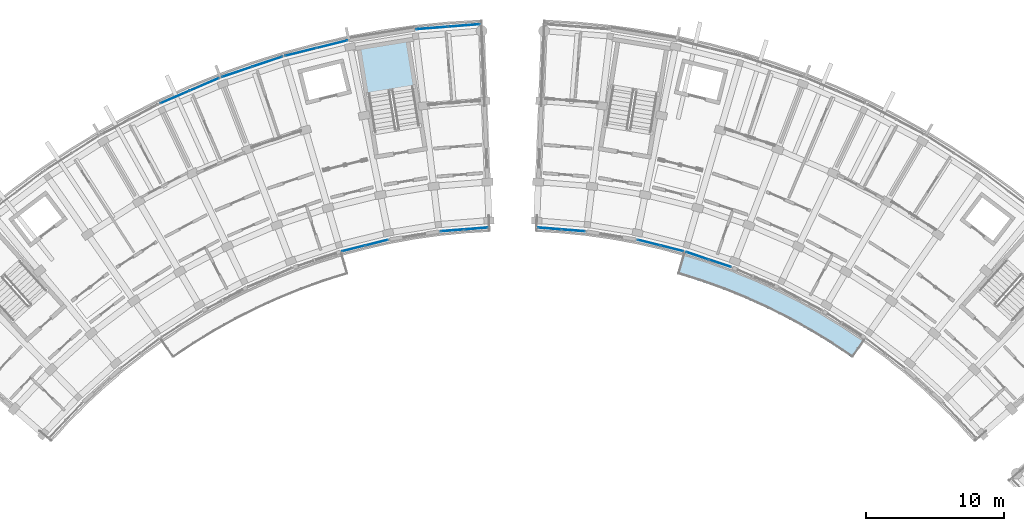
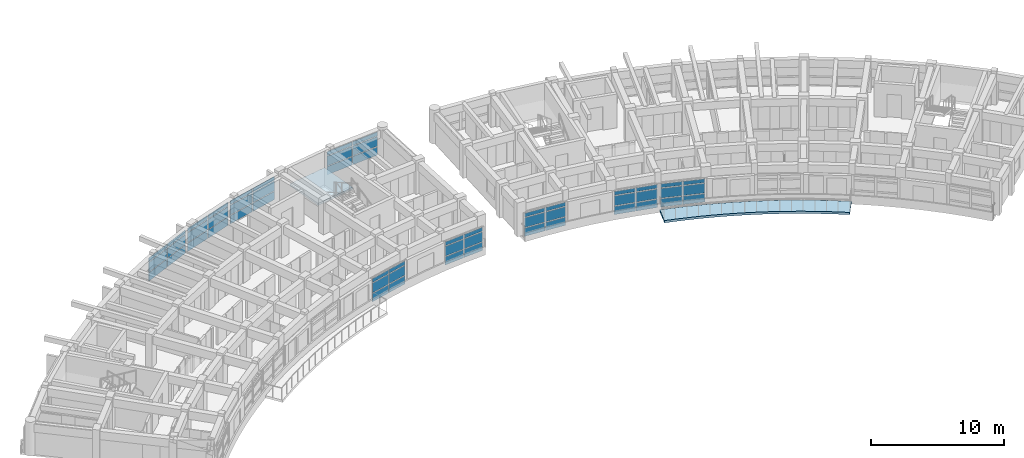
# One storey, part 21 of 56: 54 plates, 2 slabs, 10 elements without a shape of their own.
"""IFC4 building model written with IfcOpenShell, lengths in metres."""

from ifc_helpers import new_model, si_unit, direction, frame, origin, origin_2d, place, context, subcontext, project, spatial, polyline, rectangle, outline, extrude, material, layer, layer_set, type_object, element, aggregate, save


model = new_model("IFC4")

# Units and contexts
model_context = context("Model", 3, precision=1e-05, world=origin(), true_north=direction((0.0, 1.0)))
body_context = subcontext(model_context, "Body", "Model", "MODEL_VIEW")
ifc_project = project(units=[si_unit("LENGTHUNIT", "METRE"), si_unit("AREAUNIT", "SQUARE_METRE"), si_unit("VOLUMEUNIT", "CUBIC_METRE"), si_unit("PLANEANGLEUNIT", "RADIAN"), si_unit("MASSUNIT", "GRAM", prefix="KILO")], contexts=[model_context])

# Site, building, storey
site_placement = place(None, origin())
site = spatial("IfcSite", under=ifc_project, at=site_placement, CompositionType="ELEMENT")
building_placement = place(site_placement, origin())
building = spatial("IfcBuilding", under=site, at=building_placement, Name="Zimvara Arc Housing Community", CompositionType="ELEMENT")
storey_placement = place(building_placement, frame((0.0, 0.0, 11.199951171875)))
storey = spatial("IfcBuildingStorey", under=building, at=storey_placement, Name="L03", CompositionType="ELEMENT", Elevation=11.199951171875)

# Curtain wall, plates
ifc_material_1 = material(Name="Anodised Aluminium AW-6063", Category="aluminium")
curtain_wall_type_1 = type_object("IfcCurtainWallType", Name="CW-SYS-08", PredefinedType="USERDEFINED", material=ifc_material_1)
curtain_wall_1_placement = place(storey_placement, origin())
curtain_wall_1 = element("IfcCurtainWall", 1, at=curtain_wall_1_placement, inside=storey, type_object=curtain_wall_type_1, Name="cw:blkA:L03:out:b6", ObjectType="CURTAIN WALL", PredefinedType="USERDEFINED")
ifc_material_2 = material(Name="Pale-Gold Anodised Aluminium Spandrel Panel", Category="aluminium")
ifc_layer_1 = layer(ifc_material_2, 0.035888671875)
ifc_layer_set_1 = layer_set([ifc_layer_1], Name="Pale-Gold Anodised Aluminium Spandrel Panel")
plate_type_1 = type_object("IfcPlateType", Name="CWP-GLD-36", PredefinedType="CURTAIN_PANEL", material=ifc_layer_set_1)
plate_1_placement = place(storey_placement, frame((24.990478515625, 100.36669921875, 0.065185546875), z_axis=(0.0, 0.0, 1.0), x_axis=(0.947879647164, 0.318628583921, 0.0)))
plate_1 = element("IfcPlate", 2, at=plate_1_placement, type_object=plate_type_1, Name="CW08 panel 1.1", PredefinedType="CURTAIN_PANEL", context=body_context, shape_type="SweptSolid", body=[
    extrude(rectangle(XDim=2.266845703125, YDim=0.035888671875, at=origin_2d()), origin(), (0.0, 0.0, 1.0), 0.75244140625),
])
plate_2_placement = place(storey_placement, frame((24.990478515625, 100.36669921875, 0.88232421875), z_axis=(0.0, 0.0, 1.0), x_axis=(0.947879647164, 0.318628583921, 0.0)))
plate_2 = element("IfcPlate", 3, at=plate_2_placement, type_object=plate_type_1, Name="CW08 panel 1.2", PredefinedType="CURTAIN_PANEL", context=body_context, shape_type="SweptSolid", body=[
    extrude(rectangle(XDim=2.266845703125, YDim=0.035888671875, at=origin_2d()), origin(), (0.0, 0.0, 1.0), 0.885009765625),
])
plate_3_placement = place(storey_placement, frame((24.990478515625, 100.36669921875, 1.83251953125), z_axis=(0.0, 0.0, 1.0), x_axis=(0.947879647164, 0.318628583921, 0.0)))
plate_3 = element("IfcPlate", 4, at=plate_3_placement, type_object=plate_type_1, Name="CW08 panel 1.3", PredefinedType="CURTAIN_PANEL", context=body_context, shape_type="SweptSolid", body=[
    extrude(rectangle(XDim=2.266845703125, YDim=0.035888671875, at=origin_2d()), origin(), (0.0, 0.0, 1.0), 0.3525390625),
])
plate_4_placement = place(storey_placement, frame((27.200927734375, 101.109619140625, 0.065185546875), z_axis=(0.0, 0.0, 1.0), x_axis=(0.947879647164, 0.318628583921, 0.0)))
plate_4 = element("IfcPlate", 5, at=plate_4_placement, type_object=plate_type_1, Name="CW08 panel 2.1", PredefinedType="CURTAIN_PANEL", context=body_context, shape_type="SweptSolid", body=[
    extrude(rectangle(XDim=2.266845703125, YDim=0.035888671875, at=origin_2d()), origin(), (0.0, 0.0, 1.0), 0.75244140625),
])
plate_5_placement = place(storey_placement, frame((27.200927734375, 101.109619140625, 0.88232421875), z_axis=(0.0, 0.0, 1.0), x_axis=(0.947879647164, 0.318628583921, 0.0)))
plate_5 = element("IfcPlate", 6, at=plate_5_placement, type_object=plate_type_1, Name="CW08 panel 2.2", PredefinedType="CURTAIN_PANEL", context=body_context, shape_type="SweptSolid", body=[
    extrude(rectangle(XDim=2.266845703125, YDim=0.035888671875, at=origin_2d()), origin(), (0.0, 0.0, 1.0), 0.885009765625),
])
plate_6_placement = place(storey_placement, frame((27.200927734375, 101.109619140625, 1.83251953125), z_axis=(0.0, 0.0, 1.0), x_axis=(0.947879647164, 0.318628583921, 0.0)))
plate_6 = element("IfcPlate", 7, at=plate_6_placement, type_object=plate_type_1, Name="CW08 panel 2.3", PredefinedType="CURTAIN_PANEL", context=body_context, shape_type="SweptSolid", body=[
    extrude(rectangle(XDim=2.266845703125, YDim=0.035888671875, at=origin_2d()), origin(), (0.0, 0.0, 1.0), 0.3525390625),
])
aggregate(curtain_wall_1, [plate_1, plate_2, plate_3, plate_4, plate_5, plate_6])

ifc_material_3 = material(Name="Anodised Aluminium AW-6063", Category="aluminium")
curtain_wall_type_2 = type_object("IfcCurtainWallType", Name="CW-SYS-04", PredefinedType="USERDEFINED", material=ifc_material_3)
curtain_wall_2_placement = place(storey_placement, origin())
curtain_wall_2 = element("IfcCurtainWall", 8, at=curtain_wall_2_placement, inside=storey, type_object=curtain_wall_type_2, Name="cw:blkA:L03:in:b9", ObjectType="CURTAIN WALL", PredefinedType="USERDEFINED")
plate_7_placement = place(storey_placement, frame((40.609130859375, 88.87451171875, 0.065185546875), z_axis=(0.0, 0.0, 1.0), x_axis=(0.996862343506, 0.079154709897, 0.0)))
plate_7 = element("IfcPlate", 9, at=plate_7_placement, type_object=plate_type_1, Name="CW04 panel 1.1", PredefinedType="CURTAIN_PANEL", context=body_context, shape_type="SweptSolid", body=[
    extrude(rectangle(XDim=1.664306640625, YDim=0.035888671875, at=origin_2d()), origin(), (0.0, 0.0, 1.0), 0.75244140625),
])
plate_8_placement = place(storey_placement, frame((40.609130859375, 88.87451171875, 0.88232421875), z_axis=(0.0, 0.0, 1.0), x_axis=(0.996862343506, 0.079154709897, 0.0)))
plate_8 = element("IfcPlate", 10, at=plate_8_placement, type_object=plate_type_1, Name="CW04 panel 1.2", PredefinedType="CURTAIN_PANEL", context=body_context, shape_type="SweptSolid", body=[
    extrude(rectangle(XDim=1.664306640625, YDim=0.035888671875, at=origin_2d()), origin(), (0.0, 0.0, 1.0), 0.885009765625),
])
plate_9_placement = place(storey_placement, frame((40.609130859375, 88.87451171875, 1.83251953125), z_axis=(0.0, 0.0, 1.0), x_axis=(0.996862343506, 0.079154709897, 0.0)))
plate_9 = element("IfcPlate", 11, at=plate_9_placement, type_object=plate_type_1, Name="CW04 panel 1.3", PredefinedType="CURTAIN_PANEL", context=body_context, shape_type="SweptSolid", body=[
    extrude(rectangle(XDim=1.664306640625, YDim=0.035888671875, at=origin_2d()), origin(), (0.0, 0.0, 1.0), 0.3525390625),
])
plate_10_placement = place(storey_placement, frame((42.3330078125, 89.01123046875, 0.065185546875), z_axis=(0.0, 0.0, 1.0), x_axis=(0.996862343506, 0.079154709897, 0.0)))
plate_10 = element("IfcPlate", 12, at=plate_10_placement, type_object=plate_type_1, Name="CW04 panel 2.1", PredefinedType="CURTAIN_PANEL", context=body_context, shape_type="SweptSolid", body=[
    extrude(rectangle(XDim=1.664306640625, YDim=0.035888671875, at=origin_2d()), origin(), (0.0, 0.0, 1.0), 0.75244140625),
])
plate_11_placement = place(storey_placement, frame((42.3330078125, 89.01123046875, 0.88232421875), z_axis=(0.0, 0.0, 1.0), x_axis=(0.996862343506, 0.079154709897, 0.0)))
plate_11 = element("IfcPlate", 13, at=plate_11_placement, type_object=plate_type_1, Name="CW04 panel 2.2", PredefinedType="CURTAIN_PANEL", context=body_context, shape_type="SweptSolid", body=[
    extrude(rectangle(XDim=1.664306640625, YDim=0.035888671875, at=origin_2d()), origin(), (0.0, 0.0, 1.0), 0.885009765625),
])
plate_12_placement = place(storey_placement, frame((42.3330078125, 89.01123046875, 1.83251953125), z_axis=(0.0, 0.0, 1.0), x_axis=(0.996862343506, 0.079154709897, 0.0)))
plate_12 = element("IfcPlate", 14, at=plate_12_placement, type_object=plate_type_1, Name="CW04 panel 2.3", PredefinedType="CURTAIN_PANEL", context=body_context, shape_type="SweptSolid", body=[
    extrude(rectangle(XDim=1.664306640625, YDim=0.035888671875, at=origin_2d()), origin(), (0.0, 0.0, 1.0), 0.3525390625),
])
aggregate(curtain_wall_2, [plate_7, plate_8, plate_9, plate_10, plate_11, plate_12])

curtain_wall_3_placement = place(storey_placement, origin())
curtain_wall_3 = element("IfcCurtainWall", 15, at=curtain_wall_3_placement, inside=storey, type_object=curtain_wall_type_1, Name="cw:blkB:L03:in:b0", ObjectType="CURTAIN WALL", PredefinedType="USERDEFINED")
plate_13_placement = place(storey_placement, frame((47.6669921875, 89.01123046875, 0.065185546875), z_axis=(0.0, 0.0, 1.0), x_axis=(0.996862343506, -0.079154709897, 0.0)))
plate_13 = element("IfcPlate", 16, at=plate_13_placement, type_object=plate_type_1, Name="CW08 panel 1.1", PredefinedType="CURTAIN_PANEL", context=body_context, shape_type="SweptSolid", body=[
    extrude(rectangle(XDim=1.664306640625, YDim=0.035888671875, at=origin_2d()), origin(), (0.0, 0.0, 1.0), 0.75244140625),
])
plate_14_placement = place(storey_placement, frame((47.6669921875, 89.01123046875, 0.88232421875), z_axis=(0.0, 0.0, 1.0), x_axis=(0.996862343506, -0.079154709897, 0.0)))
plate_14 = element("IfcPlate", 17, at=plate_14_placement, type_object=plate_type_1, Name="CW08 panel 1.2", PredefinedType="CURTAIN_PANEL", context=body_context, shape_type="SweptSolid", body=[
    extrude(rectangle(XDim=1.664306640625, YDim=0.035888671875, at=origin_2d()), origin(), (0.0, 0.0, 1.0), 0.885009765625),
])
plate_15_placement = place(storey_placement, frame((47.6669921875, 89.01123046875, 1.83251953125), z_axis=(0.0, 0.0, 1.0), x_axis=(0.996862343506, -0.079154709897, 0.0)))
plate_15 = element("IfcPlate", 18, at=plate_15_placement, type_object=plate_type_1, Name="CW08 panel 1.3", PredefinedType="CURTAIN_PANEL", context=body_context, shape_type="SweptSolid", body=[
    extrude(rectangle(XDim=1.664306640625, YDim=0.035888671875, at=origin_2d()), origin(), (0.0, 0.0, 1.0), 0.3525390625),
])
plate_16_placement = place(storey_placement, frame((49.390869140625, 88.87451171875, 0.065185546875), z_axis=(0.0, 0.0, 1.0), x_axis=(0.996862343506, -0.079154709897, 0.0)))
plate_16 = element("IfcPlate", 19, at=plate_16_placement, type_object=plate_type_1, Name="CW08 panel 2.1", PredefinedType="CURTAIN_PANEL", context=body_context, shape_type="SweptSolid", body=[
    extrude(rectangle(XDim=1.664306640625, YDim=0.035888671875, at=origin_2d()), origin(), (0.0, 0.0, 1.0), 0.75244140625),
])
plate_17_placement = place(storey_placement, frame((49.390869140625, 88.87451171875, 0.88232421875), z_axis=(0.0, 0.0, 1.0), x_axis=(0.996862343506, -0.079154709897, 0.0)))
plate_17 = element("IfcPlate", 20, at=plate_17_placement, type_object=plate_type_1, Name="CW08 panel 2.2", PredefinedType="CURTAIN_PANEL", context=body_context, shape_type="SweptSolid", body=[
    extrude(rectangle(XDim=1.664306640625, YDim=0.035888671875, at=origin_2d()), origin(), (0.0, 0.0, 1.0), 0.885009765625),
])
plate_18_placement = place(storey_placement, frame((49.390869140625, 88.87451171875, 1.83251953125), z_axis=(0.0, 0.0, 1.0), x_axis=(0.996862343506, -0.079154709897, 0.0)))
plate_18 = element("IfcPlate", 21, at=plate_18_placement, type_object=plate_type_1, Name="CW08 panel 2.3", PredefinedType="CURTAIN_PANEL", context=body_context, shape_type="SweptSolid", body=[
    extrude(rectangle(XDim=1.664306640625, YDim=0.035888671875, at=origin_2d()), origin(), (0.0, 0.0, 1.0), 0.3525390625),
])
aggregate(curtain_wall_3, [plate_13, plate_14, plate_15, plate_16, plate_17, plate_18])

curtain_wall_4_placement = place(storey_placement, origin())
curtain_wall_4 = element("IfcCurtainWall", 22, at=curtain_wall_4_placement, inside=storey, type_object=curtain_wall_type_2, Name="cw:blkB:L03:in:b3", ObjectType="CURTAIN WALL", PredefinedType="USERDEFINED")
plate_19_placement = place(storey_placement, frame((58.3857421875, 87.03466796875, 0.065185546875), z_axis=(0.0, 0.0, 1.0), x_axis=(0.94787908732, -0.318630249383, 0.0)))
plate_19 = element("IfcPlate", 23, at=plate_19_placement, type_object=plate_type_1, Name="CW04 panel 1.1", PredefinedType="CURTAIN_PANEL", context=body_context, shape_type="SweptSolid", body=[
    extrude(rectangle(XDim=1.664306640625, YDim=0.035888671875, at=origin_2d()), origin(), (0.0, 0.0, 1.0), 0.75244140625),
])
plate_20_placement = place(storey_placement, frame((58.3857421875, 87.03466796875, 0.88232421875), z_axis=(0.0, 0.0, 1.0), x_axis=(0.94787908732, -0.318630249383, 0.0)))
plate_20 = element("IfcPlate", 24, at=plate_20_placement, type_object=plate_type_1, Name="CW04 panel 1.2", PredefinedType="CURTAIN_PANEL", context=body_context, shape_type="SweptSolid", body=[
    extrude(rectangle(XDim=1.664306640625, YDim=0.035888671875, at=origin_2d()), origin(), (0.0, 0.0, 1.0), 0.885009765625),
])
plate_21_placement = place(storey_placement, frame((58.3857421875, 87.03466796875, 1.83251953125), z_axis=(0.0, 0.0, 1.0), x_axis=(0.94787908732, -0.318630249383, 0.0)))
plate_21 = element("IfcPlate", 25, at=plate_21_placement, type_object=plate_type_1, Name="CW04 panel 1.3", PredefinedType="CURTAIN_PANEL", context=body_context, shape_type="SweptSolid", body=[
    extrude(rectangle(XDim=1.664306640625, YDim=0.035888671875, at=origin_2d()), origin(), (0.0, 0.0, 1.0), 0.3525390625),
])
plate_22_placement = place(storey_placement, frame((60.02490234375, 86.483642578125, 0.065185546875), z_axis=(0.0, 0.0, 1.0), x_axis=(0.94787908732, -0.318630249383, 0.0)))
plate_22 = element("IfcPlate", 26, at=plate_22_placement, type_object=plate_type_1, Name="CW04 panel 2.1", PredefinedType="CURTAIN_PANEL", context=body_context, shape_type="SweptSolid", body=[
    extrude(rectangle(XDim=1.664306640625, YDim=0.035888671875, at=origin_2d()), origin(), (0.0, 0.0, 1.0), 0.75244140625),
])
plate_23_placement = place(storey_placement, frame((60.02490234375, 86.483642578125, 0.88232421875), z_axis=(0.0, 0.0, 1.0), x_axis=(0.94787908732, -0.318630249383, 0.0)))
plate_23 = element("IfcPlate", 27, at=plate_23_placement, type_object=plate_type_1, Name="CW04 panel 2.2", PredefinedType="CURTAIN_PANEL", context=body_context, shape_type="SweptSolid", body=[
    extrude(rectangle(XDim=1.664306640625, YDim=0.035888671875, at=origin_2d()), origin(), (0.0, 0.0, 1.0), 0.885009765625),
])
plate_24_placement = place(storey_placement, frame((60.02490234375, 86.483642578125, 1.83251953125), z_axis=(0.0, 0.0, 1.0), x_axis=(0.94787908732, -0.318630249383, 0.0)))
plate_24 = element("IfcPlate", 28, at=plate_24_placement, type_object=plate_type_1, Name="CW04 panel 2.3", PredefinedType="CURTAIN_PANEL", context=body_context, shape_type="SweptSolid", body=[
    extrude(rectangle(XDim=1.664306640625, YDim=0.035888671875, at=origin_2d()), origin(), (0.0, 0.0, 1.0), 0.3525390625),
])
aggregate(curtain_wall_4, [plate_19, plate_20, plate_21, plate_22, plate_23, plate_24])

ifc_material_4 = material(Name="Anodised Aluminium AW-6063", Category="aluminium")
curtain_wall_type_3 = type_object("IfcCurtainWallType", Name="CW-SYS-01", PredefinedType="USERDEFINED", material=ifc_material_4)
curtain_wall_5_placement = place(storey_placement, origin())
curtain_wall_5 = element("IfcCurtainWall", 29, at=curtain_wall_5_placement, inside=storey, type_object=curtain_wall_type_3, Name="cw:blkA:L03:out:b7", ObjectType="CURTAIN WALL", PredefinedType="USERDEFINED")
ifc_material_5 = material(Name="Solar Control Low-E Double Glazing", Category="glass")
ifc_layer_2 = layer(ifc_material_5, 0.02392578125)
ifc_layer_set_2 = layer_set([ifc_layer_2], Name="Solar Control Low-E Double Glazing")
plate_type_2 = type_object("IfcPlateType", Name="CWP-GLZ-24", PredefinedType="CURTAIN_PANEL", material=ifc_layer_set_2)
plate_25_placement = place(storey_placement, frame((29.615234375, 101.81298828125, 0.065185546875), z_axis=(0.0, 0.0, 1.0), x_axis=(0.970716068627, 0.240229711131, 0.0)))
plate_25 = element("IfcPlate", 30, at=plate_25_placement, type_object=plate_type_2, Name="CW01 panel 1.1", PredefinedType="CURTAIN_PANEL", context=body_context, shape_type="SweptSolid", body=[
    extrude(rectangle(XDim=2.266845703125, YDim=0.02392578125, at=origin_2d()), origin(), (0.0, 0.0, 1.0), 0.75244140625),
])
plate_26_placement = place(storey_placement, frame((29.615234375, 101.81298828125, 0.88232421875), z_axis=(0.0, 0.0, 1.0), x_axis=(0.970716068627, 0.240229711131, 0.0)))
plate_26 = element("IfcPlate", 31, at=plate_26_placement, type_object=plate_type_2, Name="CW01 panel 1.2", PredefinedType="CURTAIN_PANEL", context=body_context, shape_type="SweptSolid", body=[
    extrude(rectangle(XDim=2.266845703125, YDim=0.02392578125, at=origin_2d()), origin(), (0.0, 0.0, 1.0), 0.885009765625),
])
plate_27_placement = place(storey_placement, frame((29.615234375, 101.81298828125, 1.83251953125), z_axis=(0.0, 0.0, 1.0), x_axis=(0.970716068627, 0.240229711131, 0.0)))
plate_27 = element("IfcPlate", 32, at=plate_27_placement, type_object=plate_type_2, Name="CW01 panel 1.3", PredefinedType="CURTAIN_PANEL", context=body_context, shape_type="SweptSolid", body=[
    extrude(rectangle(XDim=2.266845703125, YDim=0.02392578125, at=origin_2d()), origin(), (0.0, 0.0, 1.0), 0.3525390625),
])
plate_28_placement = place(storey_placement, frame((31.87890625, 102.373291015625, 0.065185546875), z_axis=(0.0, 0.0, 1.0), x_axis=(0.970716068627, 0.240229711131, 0.0)))
plate_28 = element("IfcPlate", 33, at=plate_28_placement, type_object=plate_type_2, Name="CW01 panel 2.1", PredefinedType="CURTAIN_PANEL", context=body_context, shape_type="SweptSolid", body=[
    extrude(rectangle(XDim=2.266845703125, YDim=0.02392578125, at=origin_2d()), origin(), (0.0, 0.0, 1.0), 0.75244140625),
])
plate_29_placement = place(storey_placement, frame((31.87890625, 102.373291015625, 0.88232421875), z_axis=(0.0, 0.0, 1.0), x_axis=(0.970716068627, 0.240229711131, 0.0)))
plate_29 = element("IfcPlate", 34, at=plate_29_placement, type_object=plate_type_2, Name="CW01 panel 2.2", PredefinedType="CURTAIN_PANEL", context=body_context, shape_type="SweptSolid", body=[
    extrude(rectangle(XDim=2.266845703125, YDim=0.02392578125, at=origin_2d()), origin(), (0.0, 0.0, 1.0), 0.885009765625),
])
plate_30_placement = place(storey_placement, frame((31.87890625, 102.373291015625, 1.83251953125), z_axis=(0.0, 0.0, 1.0), x_axis=(0.970716068627, 0.240229711131, 0.0)))
plate_30 = element("IfcPlate", 35, at=plate_30_placement, type_object=plate_type_2, Name="CW01 panel 2.3", PredefinedType="CURTAIN_PANEL", context=body_context, shape_type="SweptSolid", body=[
    extrude(rectangle(XDim=2.266845703125, YDim=0.02392578125, at=origin_2d()), origin(), (0.0, 0.0, 1.0), 0.3525390625),
])
aggregate(curtain_wall_5, [plate_25, plate_26, plate_27, plate_28, plate_29, plate_30])

ifc_material_6 = material(Name="Anodised Aluminium AW-6063", Category="aluminium")
curtain_wall_type_4 = type_object("IfcCurtainWallType", Name="CW-SYS-06", PredefinedType="USERDEFINED", material=ifc_material_6)
curtain_wall_6_placement = place(storey_placement, origin())
curtain_wall_6 = element("IfcCurtainWall", 36, at=curtain_wall_6_placement, inside=storey, type_object=curtain_wall_type_4, Name="cw:blkA:L03:out:b5", ObjectType="CURTAIN WALL", PredefinedType="USERDEFINED")
ifc_material_7 = material(Name="Solar Control Low-E Double Glazing", Category="glass")
ifc_layer_3 = layer(ifc_material_7, 0.028076171875)
ifc_layer_set_3 = layer_set([ifc_layer_3], Name="Solar Control Low-E Double Glazing")
plate_type_3 = type_object("IfcPlateType", Name="CWP-GLZ-28", PredefinedType="CURTAIN_PANEL", material=ifc_layer_set_3)
plate_31_placement = place(storey_placement, frame((20.4990234375, 98.5478515625, 0.065185546875), z_axis=(0.0, 0.0, 1.0), x_axis=(0.918722299363, 0.394904211998, 0.0)))
plate_31 = element("IfcPlate", 37, at=plate_31_placement, type_object=plate_type_3, Name="CW06 panel 1.1", PredefinedType="CURTAIN_PANEL", context=body_context, shape_type="SweptSolid", body=[
    extrude(rectangle(XDim=2.266845703125, YDim=0.028076171875, at=origin_2d()), origin(), (0.0, 0.0, 1.0), 0.75244140625),
])
plate_32_placement = place(storey_placement, frame((20.4990234375, 98.5478515625, 0.88232421875), z_axis=(0.0, 0.0, 1.0), x_axis=(0.918722299363, 0.394904211998, 0.0)))
plate_32 = element("IfcPlate", 38, at=plate_32_placement, type_object=plate_type_3, Name="CW06 panel 1.2", PredefinedType="CURTAIN_PANEL", context=body_context, shape_type="SweptSolid", body=[
    extrude(rectangle(XDim=2.266845703125, YDim=0.028076171875, at=origin_2d()), origin(), (0.0, 0.0, 1.0), 0.885009765625),
])
plate_33_placement = place(storey_placement, frame((20.4990234375, 98.5478515625, 1.83251953125), z_axis=(0.0, 0.0, 1.0), x_axis=(0.918722299363, 0.394904211998, 0.0)))
plate_33 = element("IfcPlate", 39, at=plate_33_placement, type_object=plate_type_3, Name="CW06 panel 1.3", PredefinedType="CURTAIN_PANEL", context=body_context, shape_type="SweptSolid", body=[
    extrude(rectangle(XDim=2.266845703125, YDim=0.028076171875, at=origin_2d()), origin(), (0.0, 0.0, 1.0), 0.3525390625),
])
plate_34_placement = place(storey_placement, frame((22.641357421875, 99.46875, 0.065185546875), z_axis=(0.0, 0.0, 1.0), x_axis=(0.918722299363, 0.394904211998, 0.0)))
plate_34 = element("IfcPlate", 40, at=plate_34_placement, type_object=plate_type_3, Name="CW06 panel 2.1", PredefinedType="CURTAIN_PANEL", context=body_context, shape_type="SweptSolid", body=[
    extrude(rectangle(XDim=2.266845703125, YDim=0.028076171875, at=origin_2d()), origin(), (0.0, 0.0, 1.0), 0.75244140625),
])
plate_35_placement = place(storey_placement, frame((22.641357421875, 99.46875, 0.88232421875), z_axis=(0.0, 0.0, 1.0), x_axis=(0.918722299363, 0.394904211998, 0.0)))
plate_35 = element("IfcPlate", 41, at=plate_35_placement, type_object=plate_type_3, Name="CW06 panel 2.2", PredefinedType="CURTAIN_PANEL", context=body_context, shape_type="SweptSolid", body=[
    extrude(rectangle(XDim=2.266845703125, YDim=0.028076171875, at=origin_2d()), origin(), (0.0, 0.0, 1.0), 0.885009765625),
])
plate_36_placement = place(storey_placement, frame((22.641357421875, 99.46875, 1.83251953125), z_axis=(0.0, 0.0, 1.0), x_axis=(0.918722299363, 0.394904211998, 0.0)))
plate_36 = element("IfcPlate", 42, at=plate_36_placement, type_object=plate_type_3, Name="CW06 panel 2.3", PredefinedType="CURTAIN_PANEL", context=body_context, shape_type="SweptSolid", body=[
    extrude(rectangle(XDim=2.266845703125, YDim=0.028076171875, at=origin_2d()), origin(), (0.0, 0.0, 1.0), 0.3525390625),
])
aggregate(curtain_wall_6, [plate_31, plate_32, plate_33, plate_34, plate_35, plate_36])

ifc_material_8 = material(Name="Anodised Aluminium AW-6063", Category="aluminium")
curtain_wall_type_5 = type_object("IfcCurtainWallType", Name="CW-SYS-02", PredefinedType="USERDEFINED", material=ifc_material_8)
curtain_wall_7_placement = place(storey_placement, origin())
curtain_wall_7 = element("IfcCurtainWall", 43, at=curtain_wall_7_placement, inside=storey, type_object=curtain_wall_type_5, Name="cw:blkA:L03:in:b7", ObjectType="CURTAIN WALL", PredefinedType="USERDEFINED")
plate_37_placement = place(storey_placement, frame((33.45068359375, 87.569580078125, 0.065185546875), z_axis=(0.0, 0.0, 1.0), x_axis=(0.970716537698, 0.240227815706, 0.0)))
plate_37 = element("IfcPlate", 44, at=plate_37_placement, type_object=plate_type_3, Name="CW02 panel 1.1", PredefinedType="CURTAIN_PANEL", context=body_context, shape_type="SweptSolid", body=[
    extrude(rectangle(XDim=1.664306640625, YDim=0.028076171875, at=origin_2d()), origin(), (0.0, 0.0, 1.0), 0.75244140625),
])
plate_38_placement = place(storey_placement, frame((33.45068359375, 87.569580078125, 0.88232421875), z_axis=(0.0, 0.0, 1.0), x_axis=(0.970716537698, 0.240227815706, 0.0)))
plate_38 = element("IfcPlate", 45, at=plate_38_placement, type_object=plate_type_3, Name="CW02 panel 1.2", PredefinedType="CURTAIN_PANEL", context=body_context, shape_type="SweptSolid", body=[
    extrude(rectangle(XDim=1.664306640625, YDim=0.028076171875, at=origin_2d()), origin(), (0.0, 0.0, 1.0), 0.885009765625),
])
plate_39_placement = place(storey_placement, frame((33.45068359375, 87.569580078125, 1.83251953125), z_axis=(0.0, 0.0, 1.0), x_axis=(0.970716537698, 0.240227815706, 0.0)))
plate_39 = element("IfcPlate", 46, at=plate_39_placement, type_object=plate_type_3, Name="CW02 panel 1.3", PredefinedType="CURTAIN_PANEL", context=body_context, shape_type="SweptSolid", body=[
    extrude(rectangle(XDim=1.664306640625, YDim=0.028076171875, at=origin_2d()), origin(), (0.0, 0.0, 1.0), 0.3525390625),
])
plate_40_placement = place(storey_placement, frame((35.12939453125, 87.98486328125, 0.065185546875), z_axis=(0.0, 0.0, 1.0), x_axis=(0.970716537698, 0.240227815706, 0.0)))
plate_40 = element("IfcPlate", 47, at=plate_40_placement, type_object=plate_type_3, Name="CW02 panel 2.1", PredefinedType="CURTAIN_PANEL", context=body_context, shape_type="SweptSolid", body=[
    extrude(rectangle(XDim=1.664306640625, YDim=0.028076171875, at=origin_2d()), origin(), (0.0, 0.0, 1.0), 0.75244140625),
])
plate_41_placement = place(storey_placement, frame((35.12939453125, 87.98486328125, 0.88232421875), z_axis=(0.0, 0.0, 1.0), x_axis=(0.970716537698, 0.240227815706, 0.0)))
plate_41 = element("IfcPlate", 48, at=plate_41_placement, type_object=plate_type_3, Name="CW02 panel 2.2", PredefinedType="CURTAIN_PANEL", context=body_context, shape_type="SweptSolid", body=[
    extrude(rectangle(XDim=1.664306640625, YDim=0.028076171875, at=origin_2d()), origin(), (0.0, 0.0, 1.0), 0.885009765625),
])
plate_42_placement = place(storey_placement, frame((35.12939453125, 87.98486328125, 1.83251953125), z_axis=(0.0, 0.0, 1.0), x_axis=(0.970716537698, 0.240227815706, 0.0)))
plate_42 = element("IfcPlate", 49, at=plate_42_placement, type_object=plate_type_3, Name="CW02 panel 2.3", PredefinedType="CURTAIN_PANEL", context=body_context, shape_type="SweptSolid", body=[
    extrude(rectangle(XDim=1.664306640625, YDim=0.028076171875, at=origin_2d()), origin(), (0.0, 0.0, 1.0), 0.3525390625),
])
aggregate(curtain_wall_7, [plate_37, plate_38, plate_39, plate_40, plate_41, plate_42])

curtain_wall_8_placement = place(storey_placement, origin())
curtain_wall_8 = element("IfcCurtainWall", 50, at=curtain_wall_8_placement, inside=storey, type_object=curtain_wall_type_5, Name="cw:blkB:L03:in:b2", ObjectType="CURTAIN WALL", PredefinedType="USERDEFINED")
plate_43_placement = place(storey_placement, frame((54.87060546875, 87.98486328125, 0.065185546875), z_axis=(0.0, 0.0, 1.0), x_axis=(0.970716537698, -0.240227815706, 0.0)))
plate_43 = element("IfcPlate", 51, at=plate_43_placement, type_object=plate_type_3, Name="CW02 panel 1.1", PredefinedType="CURTAIN_PANEL", context=body_context, shape_type="SweptSolid", body=[
    extrude(rectangle(XDim=1.664306640625, YDim=0.028076171875, at=origin_2d()), origin(), (0.0, 0.0, 1.0), 0.75244140625),
])
plate_44_placement = place(storey_placement, frame((54.87060546875, 87.98486328125, 0.88232421875), z_axis=(0.0, 0.0, 1.0), x_axis=(0.970716537698, -0.240227815706, 0.0)))
plate_44 = element("IfcPlate", 52, at=plate_44_placement, type_object=plate_type_3, Name="CW02 panel 1.2", PredefinedType="CURTAIN_PANEL", context=body_context, shape_type="SweptSolid", body=[
    extrude(rectangle(XDim=1.664306640625, YDim=0.028076171875, at=origin_2d()), origin(), (0.0, 0.0, 1.0), 0.885009765625),
])
plate_45_placement = place(storey_placement, frame((54.87060546875, 87.98486328125, 1.83251953125), z_axis=(0.0, 0.0, 1.0), x_axis=(0.970716537698, -0.240227815706, 0.0)))
plate_45 = element("IfcPlate", 53, at=plate_45_placement, type_object=plate_type_3, Name="CW02 panel 1.3", PredefinedType="CURTAIN_PANEL", context=body_context, shape_type="SweptSolid", body=[
    extrude(rectangle(XDim=1.664306640625, YDim=0.028076171875, at=origin_2d()), origin(), (0.0, 0.0, 1.0), 0.3525390625),
])
plate_46_placement = place(storey_placement, frame((56.54931640625, 87.569580078125, 0.065185546875), z_axis=(0.0, 0.0, 1.0), x_axis=(0.970716537698, -0.240227815706, 0.0)))
plate_46 = element("IfcPlate", 54, at=plate_46_placement, type_object=plate_type_3, Name="CW02 panel 2.1", PredefinedType="CURTAIN_PANEL", context=body_context, shape_type="SweptSolid", body=[
    extrude(rectangle(XDim=1.664306640625, YDim=0.028076171875, at=origin_2d()), origin(), (0.0, 0.0, 1.0), 0.75244140625),
])
plate_47_placement = place(storey_placement, frame((56.54931640625, 87.569580078125, 0.88232421875), z_axis=(0.0, 0.0, 1.0), x_axis=(0.970716537698, -0.240227815706, 0.0)))
plate_47 = element("IfcPlate", 55, at=plate_47_placement, type_object=plate_type_3, Name="CW02 panel 2.2", PredefinedType="CURTAIN_PANEL", context=body_context, shape_type="SweptSolid", body=[
    extrude(rectangle(XDim=1.664306640625, YDim=0.028076171875, at=origin_2d()), origin(), (0.0, 0.0, 1.0), 0.885009765625),
])
plate_48_placement = place(storey_placement, frame((56.54931640625, 87.569580078125, 1.83251953125), z_axis=(0.0, 0.0, 1.0), x_axis=(0.970716537698, -0.240227815706, 0.0)))
plate_48 = element("IfcPlate", 56, at=plate_48_placement, type_object=plate_type_3, Name="CW02 panel 2.3", PredefinedType="CURTAIN_PANEL", context=body_context, shape_type="SweptSolid", body=[
    extrude(rectangle(XDim=1.664306640625, YDim=0.028076171875, at=origin_2d()), origin(), (0.0, 0.0, 1.0), 0.3525390625),
])
aggregate(curtain_wall_8, [plate_43, plate_44, plate_45, plate_46, plate_47, plate_48])

ifc_material_9 = material(Name="Anodised Aluminium AW-6063", Category="aluminium")
curtain_wall_type_6 = type_object("IfcCurtainWallType", Name="CW-SYS-03", PredefinedType="USERDEFINED", material=ifc_material_9)
curtain_wall_9_placement = place(storey_placement, origin())
curtain_wall_9 = element("IfcCurtainWall", 57, at=curtain_wall_9_placement, inside=storey, type_object=curtain_wall_type_6, Name="cw:blkA:L03:out:b9", ObjectType="CURTAIN WALL", PredefinedType="USERDEFINED")
ifc_material_10 = material(Name="Acoustic Laminated Solar Glazing", Category="glass")
ifc_layer_4 = layer(ifc_material_10, 0.031982421875)
ifc_layer_set_4 = layer_set([ifc_layer_4], Name="Acoustic Laminated Solar Glazing")
plate_type_4 = type_object("IfcPlateType", Name="CWP-GLZ-32", PredefinedType="CURTAIN_PANEL", material=ifc_layer_set_4)
plate_49_placement = place(storey_placement, frame((39.141357421875, 103.552001953125, 0.065185546875), z_axis=(0.0, 0.0, 1.0), x_axis=(0.996862418963, 0.079153759607, 0.0)))
plate_49 = element("IfcPlate", 58, at=plate_49_placement, type_object=plate_type_4, Name="CW03 panel 1.1", PredefinedType="CURTAIN_PANEL", context=body_context, shape_type="SweptSolid", body=[
    extrude(rectangle(XDim=2.266845703125, YDim=0.031982421875, at=origin_2d()), origin(), (0.0, 0.0, 1.0), 0.75244140625),
])
plate_50_placement = place(storey_placement, frame((39.141357421875, 103.552001953125, 0.88232421875), z_axis=(0.0, 0.0, 1.0), x_axis=(0.996862418963, 0.079153759607, 0.0)))
plate_50 = element("IfcPlate", 59, at=plate_50_placement, type_object=plate_type_4, Name="CW03 panel 1.2", PredefinedType="CURTAIN_PANEL", context=body_context, shape_type="SweptSolid", body=[
    extrude(rectangle(XDim=2.266845703125, YDim=0.031982421875, at=origin_2d()), origin(), (0.0, 0.0, 1.0), 0.885009765625),
])
plate_51_placement = place(storey_placement, frame((39.141357421875, 103.552001953125, 1.83251953125), z_axis=(0.0, 0.0, 1.0), x_axis=(0.996862418963, 0.079153759607, 0.0)))
plate_51 = element("IfcPlate", 60, at=plate_51_placement, type_object=plate_type_4, Name="CW03 panel 1.3", PredefinedType="CURTAIN_PANEL", context=body_context, shape_type="SweptSolid", body=[
    extrude(rectangle(XDim=2.266845703125, YDim=0.031982421875, at=origin_2d()), origin(), (0.0, 0.0, 1.0), 0.3525390625),
])
plate_52_placement = place(storey_placement, frame((41.466064453125, 103.736572265625, 0.065185546875), z_axis=(0.0, 0.0, 1.0), x_axis=(0.996862418963, 0.079153759607, 0.0)))
plate_52 = element("IfcPlate", 61, at=plate_52_placement, type_object=plate_type_4, Name="CW03 panel 2.1", PredefinedType="CURTAIN_PANEL", context=body_context, shape_type="SweptSolid", body=[
    extrude(rectangle(XDim=2.266845703125, YDim=0.031982421875, at=origin_2d()), origin(), (0.0, 0.0, 1.0), 0.75244140625),
])
plate_53_placement = place(storey_placement, frame((41.466064453125, 103.736572265625, 0.88232421875), z_axis=(0.0, 0.0, 1.0), x_axis=(0.996862418963, 0.079153759607, 0.0)))
plate_53 = element("IfcPlate", 62, at=plate_53_placement, type_object=plate_type_4, Name="CW03 panel 2.2", PredefinedType="CURTAIN_PANEL", context=body_context, shape_type="SweptSolid", body=[
    extrude(rectangle(XDim=2.266845703125, YDim=0.031982421875, at=origin_2d()), origin(), (0.0, 0.0, 1.0), 0.885009765625),
])
plate_54_placement = place(storey_placement, frame((41.466064453125, 103.736572265625, 1.83251953125), z_axis=(0.0, 0.0, 1.0), x_axis=(0.996862418963, 0.079153759607, 0.0)))
plate_54 = element("IfcPlate", 63, at=plate_54_placement, type_object=plate_type_4, Name="CW03 panel 2.3", PredefinedType="CURTAIN_PANEL", context=body_context, shape_type="SweptSolid", body=[
    extrude(rectangle(XDim=2.266845703125, YDim=0.031982421875, at=origin_2d()), origin(), (0.0, 0.0, 1.0), 0.3525390625),
])
aggregate(curtain_wall_9, [plate_49, plate_50, plate_51, plate_52, plate_53, plate_54])

# Stair, slab
ifc_material_11 = material(Name="Concrete C35/45", Category="concrete")
stair_type = type_object("IfcStairType", Name="STR-DL-315-310", PredefinedType="HALF_TURN_STAIR", material=ifc_material_11)
stair_placement = place(storey_placement, origin())
stair = element("IfcStair", 64, at=stair_placement, inside=storey, type_object=stair_type, Name="L03 Block A Exit Stair 2", PredefinedType="HALF_TURN_STAIR")
ifc_material_12 = material(Name="Concrete C35/45", Category="concrete")
ifc_layer_5 = layer(ifc_material_12, 0.199951171875)
ifc_layer_set_5 = layer_set([ifc_layer_5], Name="Concrete C35/45")
slab_type_1 = type_object("IfcSlabType", Name="SLB-STAIR-LND-200", PredefinedType="LANDING", material=ifc_layer_set_5)
slab_1_placement = place(storey_placement, frame((0.0, 0.0, 1.35009765625)))
slab_1 = element("IfcSlab", 65, at=slab_1_placement, type_object=slab_type_1, Name="ST-A2 landing 1", PredefinedType="LANDING", context=body_context, shape_type="SweptSolid", body=[
    extrude(outline(polyline([(37.814697265625, 99.2509765625), (37.278564453125, 102.552978515625), (33.962158203125, 102.014404296875), (34.498046875, 98.712646484375), (37.814697265625, 99.2509765625)])), origin(), (0.0, 0.0, 1.0), 0.199951171875),
])
aggregate(stair, [slab_1])

# Slab
ifc_material_13 = material(Name="Concrete C35/45", Category="concrete")
ifc_layer_6 = layer(ifc_material_13, 0.2099609375)
ifc_layer_set_6 = layer_set([ifc_layer_6], Name="Concrete C35/45")
slab_type_2 = type_object("IfcSlabType", Name="SLB-TER-210", PredefinedType="FLOOR", material=ifc_layer_set_6)
slab_2_placement = place(storey_placement, frame((0.0, 0.0, -0.2099609375)))
element("IfcSlab", 66, at=slab_2_placement, inside=storey, type_object=slab_type_2, Name="slab:blkB:L03:bal_in", PredefinedType="FLOOR", context=body_context, shape_type="SweptSolid", body=[
    extrude(outline(polyline([(70.42431640625, 80.863525390625), (68.918212890625, 81.871337890625), (67.37255859375, 82.816650390625), (65.789306640625, 83.6982421875), (64.171630859375, 84.514404296875), (62.52197265625, 85.263671875), (60.843017578125, 85.945068359375), (59.137451171875, 86.557373046875), (57.40869140625, 87.099609375), (56.99755859375, 85.688232421875), (57.8359375, 85.4345703125), (58.669189453125, 85.1640625), (59.49658203125, 84.87646484375), (60.318115234375, 84.572021484375), (61.133056640625, 84.2509765625), (61.94140625, 83.9130859375), (62.74267578125, 83.55908203125), (63.536376953125, 83.188720703125), (64.322509765625, 82.802001953125), (65.1005859375, 82.3994140625), (65.870361328125, 81.981201171875), (66.63134765625, 81.547119140625), (67.38330078125, 81.097900390625), (68.1259765625, 80.633056640625), (68.85888671875, 80.1533203125), (69.581787109375, 79.65869140625), (70.42431640625, 80.863525390625)])), origin(), (0.0, 0.0, 1.0), 0.2099609375),
])

save(model, "model.ifc")
